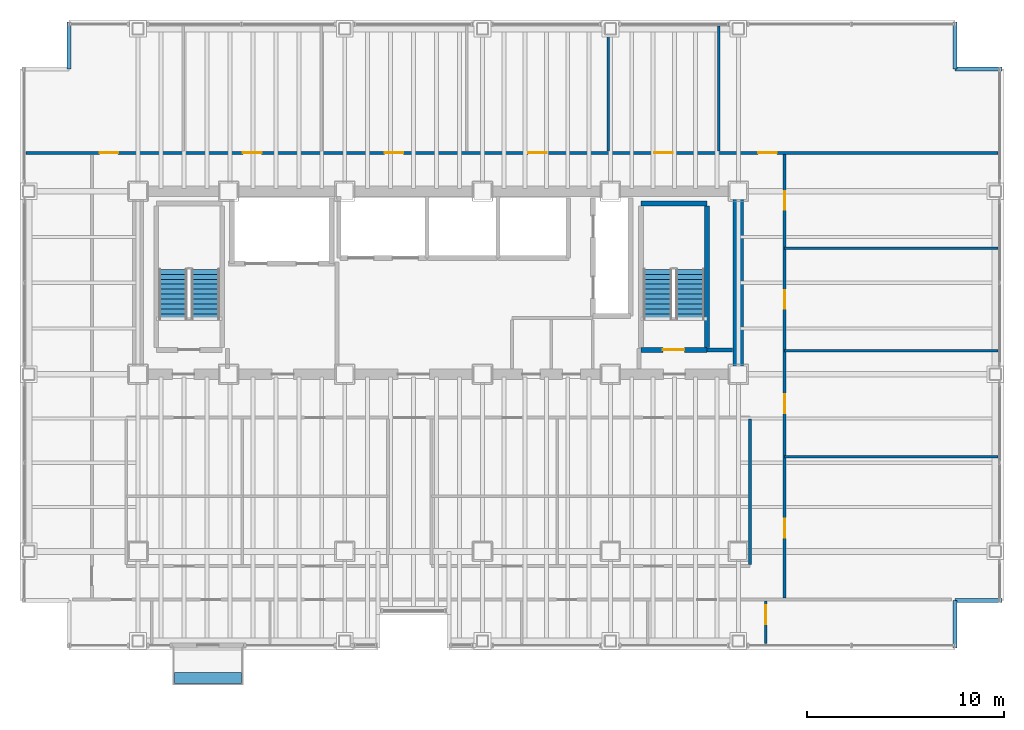
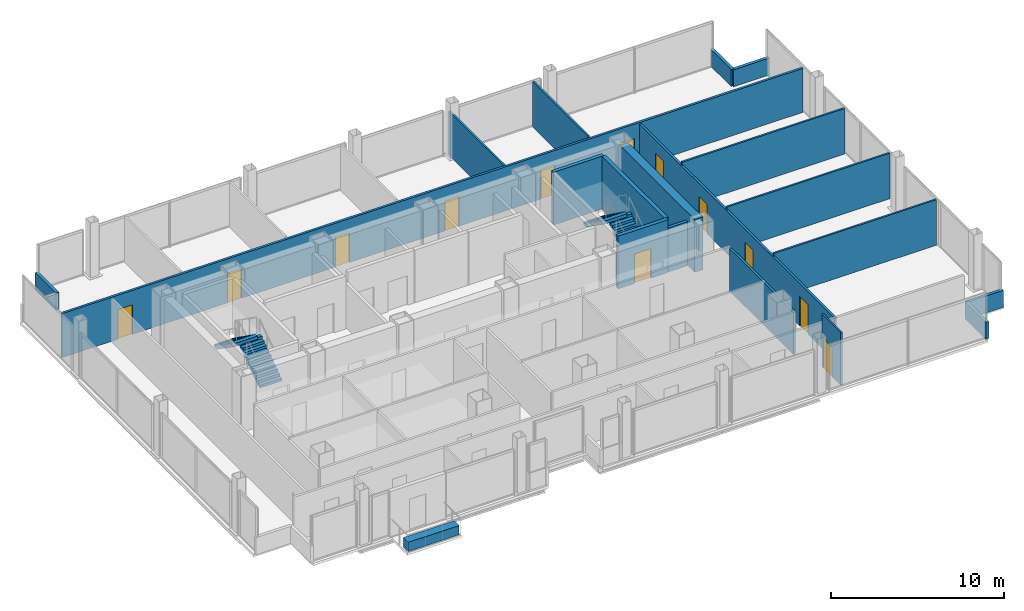
# One storey, part 19 of 20: 19 walls, 12 doors, 4 stair flights, 1 discrete accessory, 12 openings, 2 elements without a shape of their own.
"""IFC4 building model written with IfcOpenShell, lengths in metres."""

from ifc_helpers import new_model, si_unit, direction, frame, frame_2d, origin, origin_2d, place, context, subcontext, project, spatial, polyline, rectangle, outline, extrude, material, layer, layer_set, type_object, element, fill, aggregate, save


model = new_model("IFC4")

# Units and contexts
model_context = context("Model", 3, precision=1e-05, world=origin(), true_north=direction((0.0, 1.0)))
body_context = subcontext(model_context, "Body", "Model", "MODEL_VIEW")
ifc_project = project(units=[si_unit("LENGTHUNIT", "METRE"), si_unit("AREAUNIT", "SQUARE_METRE"), si_unit("VOLUMEUNIT", "CUBIC_METRE"), si_unit("PLANEANGLEUNIT", "RADIAN"), si_unit("MASSUNIT", "GRAM", prefix="KILO")], contexts=[model_context])

# Site, building, storey
site_placement = place(None, origin())
site = spatial("IfcSite", under=ifc_project, at=site_placement, CompositionType="ELEMENT")
building_placement = place(site_placement, origin())
building = spatial("IfcBuilding", under=site, at=building_placement, Name="Noeulbin Bourse Tower", CompositionType="ELEMENT")
storey_placement = place(building_placement, frame((0.0, 0.0, 65.5)))
storey = spatial("IfcBuildingStorey", under=building, at=storey_placement, Name="L16", CompositionType="ELEMENT", Elevation=65.5)

# Walls
ifc_material_1 = material(Name="Concrete C60/75", Category="concrete")
ifc_layer_1 = layer(ifc_material_1, 0.550048828125)
ifc_layer_set_1 = layer_set([ifc_layer_1], Name="Concrete C60/75")
wall_type_1 = type_object("IfcWallType", Name="WAL-CORE-550", PredefinedType="SHEAR", material=ifc_layer_set_1)
wall_1_placement = place(storey_placement, frame((44.0, 29.35009765625, 0.0), z_axis=(0.0, 0.0, 1.0), x_axis=(0.0, 1.0, 0.0)))
element("IfcWall", 1, at=wall_1_placement, inside=storey, type_object=wall_type_1, Name="Rear Core East Shear Wall L16", PredefinedType="SHEAR", context=body_context, shape_type="SweptSolid", body=[
    extrude(rectangle(XDim=8.599853515625, YDim=0.550048828125, at=frame_2d((4.2998046875, 0.0))), origin(), (0.0, 0.0, 1.0), 3.719970703125),
])
ifc_material_2 = material(Name="Concrete C40/50", Category="concrete")
ifc_layer_2 = layer(ifc_material_2, 0.199951171875)
ifc_layer_set_2 = layer_set([ifc_layer_2], Name="Concrete C40/50")
wall_type_2 = type_object("IfcWallType", Name="WAL-FIRE-200", PredefinedType="STANDARD", material=ifc_layer_set_2)
wall_2_placement = place(storey_placement, frame((42.39990234375, 30.239990234375, 0.0), z_axis=(0.0, 0.0, 1.0), x_axis=(1.0, 0.0, 0.0)))
element("IfcWall", 2, at=wall_2_placement, inside=storey, type_object=wall_type_2, Name="Interior Partition Wall L16-01", PredefinedType="STANDARD", context=body_context, shape_type="SweptSolid", body=[
    extrude(rectangle(XDim=1.315185546875, YDim=0.199951171875, at=frame_2d((0.65771484375, 0.0))), origin(), (0.0, 0.0, 1.0), 3.10009765625),
])
ifc_layer_3 = layer(ifc_material_2, 0.199951171875)
ifc_layer_set_3 = layer_set([ifc_layer_3], Name="Concrete C40/50")
wall_type_3 = type_object("IfcWallType", Name="WAL-PAR-200", PredefinedType="PARAPET", material=ifc_layer_set_3)
for number, where, z_axis, x_axis, name in (
    (3, (55.0, 15.10009765625, 0.0), (0.0, 0.0, 1.0), (0.0, 1.0, 0.0), "Corner Notch Parapet L16-SE1"),
    (4, (55.0, 17.5, 0.0), (0.0, 0.0, 1.0), (1.0, 0.0, 0.0), "Corner Notch Parapet L16-SE2"),
    (5, (10.0, 44.5, 0.0), (0.0, 0.0, 1.0), (0.0, 1.0, 0.0), "Corner Notch Parapet L16-NW2"),
    (6, (55.0, 46.89990234375, 0.0), (0.0, 0.0, 1.0), (0.0, -1.0, 0.0), "Corner Notch Parapet L16-NE1"),
    (7, (55.0, 44.5, 0.0), (0.0, 0.0, 1.0), (1.0, 0.0, 0.0), "Corner Notch Parapet L16-NE2"),
):
    element("IfcWall", number, at=place(storey_placement, frame(where, z_axis=z_axis, x_axis=x_axis)), inside=storey, type_object=wall_type_3, Name=name, PredefinedType="PARAPET", context=body_context, shape_type="SweptSolid", body=[
        extrude(rectangle(XDim=2.39990234375, YDim=0.199951171875, at=frame_2d((1.199951171875, 0.0))), origin(), (0.0, 0.0, 1.0), 1.199951171875),
    ])
ifc_material_3 = material(Name="Steel Stud Gypsum Partition", Category="steel")
ifc_layer_4 = layer(ifc_material_3, 0.1201171875)
ifc_layer_set_4 = layer_set([ifc_layer_4], Name="Steel Stud Gypsum Partition")
wall_type_4 = type_object("IfcWallType", Name="WAL-PRT-120", PredefinedType="PARTITIONING", material=ifc_layer_set_4)
for number, where, z_axis, x_axis, name in (
    (8, (46.35009765625, 24.800048828125, 0.0), (0.0, 0.0, 1.0), (1.0, 0.0, 0.0), "Interior Partition Wall L16-11"),
    (9, (46.35009765625, 30.199951171875, 0.0), (0.0, 0.0, 1.0), (1.0, 0.0, 0.0), "Interior Partition Wall L16-12"),
    (10, (46.35009765625, 35.39990234375, 0.0), (0.0, 0.0, 1.0), (1.0, 0.0, 0.0), "Interior Partition Wall L16-13"),
):
    element("IfcWall", number, at=place(storey_placement, frame(where, z_axis=z_axis, x_axis=x_axis)), inside=storey, type_object=wall_type_4, Name=name, PredefinedType="PARTITIONING", context=body_context, shape_type="SweptSolid", body=[
        extrude(rectangle(XDim=10.83984375, YDim=0.1201171875, at=frame_2d((5.419921875, 0.0))), origin(), (0.0, 0.0, 1.0), 3.2119140625),
    ])

# Wall, opening, door
wall_3_placement = place(storey_placement, frame((45.39990234375, 15.31005859375, 0.0), z_axis=(0.0, 0.0, 1.0), x_axis=(0.0, 1.0, 0.0)))
wall_3 = element("IfcWall", 11, at=wall_3_placement, inside=storey, type_object=wall_type_4, Name="Interior Partition Wall L16-31", PredefinedType="PARTITIONING", context=body_context, shape_type="SweptSolid", body=[
    extrude(rectangle(XDim=2.155029296875, YDim=0.1201171875, at=frame_2d((1.07763671875, 0.0))), origin(), (0.0, 0.0, 1.0), 3.719970703125),
])
opening_1_placement = place(wall_3_placement, frame((0.9951171875, 0.0, 0.0)))
opening_1 = element("IfcOpeningElement", 12, at=opening_1_placement, cuts=wall_3, Name="Opening ID-09", PredefinedType="OPENING", context=body_context, shape_type="SweptSolid", body=[
    extrude(rectangle(XDim=0.949951171875, YDim=2.080078125, at=frame_2d((0.47509765625, 1.0400390625))), frame((0.0, 0.070068359375, 0.0), z_axis=(0.0, -1.0, 0.0), x_axis=(1.0, 0.0, 0.0)), (0.0, 0.0, 1.0), 0.14013671875),
])
ifc_material_4 = material(Name="Acoustic Solid-Core Timber", Category="wood")
door_type_1 = type_object("IfcDoorType", Name="DR-SINGLE-950", OperationType="SINGLE_SWING_LEFT", PredefinedType="DOOR", material=ifc_material_4)
door_1_placement = place(opening_1_placement, origin())
door_1 = element("IfcDoor", 13, at=door_1_placement, inside=storey, type_object=door_type_1, Name="Interior Door L16-13", OperationType="SINGLE_SWING_RIGHT", OverallHeight=2.080078125, OverallWidth=0.949951171875, PredefinedType="DOOR", context=body_context, shape_type="SweptSolid", body=[
    extrude(rectangle(XDim=0.949951171875, YDim=2.080078125, at=frame_2d((0.47509765625, 1.0400390625))), frame((0.0, 0.02490234375, 0.0), z_axis=(0.0, -1.0, 0.0), x_axis=(1.0, 0.0, 0.0)), (0.0, 0.0, 1.0), 0.050048828125),
])
fill(opening_1, door_1)

# Walls
wall_4_placement = place(storey_placement, frame((37.39990234375, 40.3349609375, 0.0), z_axis=(0.0, 0.0, 1.0), x_axis=(0.0, 1.0, 0.0)))
element("IfcWall", 14, at=wall_4_placement, inside=storey, type_object=wall_type_4, Name="Interior Partition Wall L16-37", PredefinedType="PARTITIONING", context=body_context, shape_type="SweptSolid", body=[
    extrude(rectangle(XDim=6.35498046875, YDim=0.1201171875, at=frame_2d((3.177490234375, 0.0))), origin(), (0.0, 0.0, 1.0), 3.10009765625),
])
wall_5_placement = place(storey_placement, frame((43.0, 40.3349609375, 0.0), z_axis=(0.0, 0.0, 1.0), x_axis=(0.0, 1.0, 0.0)))
element("IfcWall", 15, at=wall_5_placement, inside=storey, type_object=wall_type_4, Name="Interior Partition Wall L16-38", PredefinedType="PARTITIONING", context=body_context, shape_type="SweptSolid", body=[
    extrude(rectangle(XDim=6.35498046875, YDim=0.1201171875, at=frame_2d((3.177490234375, 0.0))), origin(), (0.0, 0.0, 1.0), 3.2119140625),
])

# Wall, openings, doors
ifc_material_5 = material(Name="Steel Stud Acoustic Gypsum Board", Category="steel")
ifc_layer_5 = layer(ifc_material_5, 0.14990234375)
ifc_layer_set_5 = layer_set([ifc_layer_5], Name="Steel Stud Acoustic Gypsum Board")
wall_type_5 = type_object("IfcWallType", Name="WAL-PRT-150", PredefinedType="PARTITIONING", material=ifc_layer_set_5)
wall_6_placement = place(storey_placement, frame((7.81005859375, 40.25, 0.0), z_axis=(0.0, 0.0, 1.0), x_axis=(1.0, 0.0, 0.0)))
wall_6 = element("IfcWall", 16, at=wall_6_placement, inside=storey, type_object=wall_type_5, Name="Interior Partition Wall L16-14", PredefinedType="PARTITIONING", context=body_context, shape_type="SweptSolid", body=[
    extrude(rectangle(XDim=49.3798828125, YDim=0.14990234375, at=frame_2d((24.68994140625, 0.0))), origin(), (0.0, 0.0, 1.0), 3.10009765625),
])
opening_2_placement = place(wall_6_placement, frame((3.72998046875, 0.0, 0.0)))
opening_2 = element("IfcOpeningElement", 17, at=opening_2_placement, cuts=wall_6, Name="Opening ID-09", PredefinedType="OPENING", context=body_context, shape_type="SweptSolid", body=[
    extrude(rectangle(XDim=0.949951171875, YDim=2.080078125, at=frame_2d((0.47509765625, 1.0400390625))), frame((0.0, 0.0849609375, 0.0), z_axis=(0.0, -1.0, 0.0), x_axis=(1.0, 0.0, 0.0)), (0.0, 0.0, 1.0), 0.169921875),
])
opening_3_placement = place(wall_6_placement, frame((11.014892578125, 0.0, 0.0)))
opening_3 = element("IfcOpeningElement", 18, at=opening_3_placement, cuts=wall_6, Name="Opening ID-09", PredefinedType="OPENING", context=body_context, shape_type="SweptSolid", body=[
    extrude(rectangle(XDim=0.949951171875, YDim=2.080078125, at=frame_2d((0.47509765625, 1.0400390625))), frame((0.0, 0.0849609375, 0.0), z_axis=(0.0, -1.0, 0.0), x_axis=(1.0, 0.0, 0.0)), (0.0, 0.0, 1.0), 0.169921875),
])
opening_4_placement = place(wall_6_placement, frame((18.215087890625, 0.0, 0.0)))
opening_4 = element("IfcOpeningElement", 19, at=opening_4_placement, cuts=wall_6, Name="Opening ID-09", PredefinedType="OPENING", context=body_context, shape_type="SweptSolid", body=[
    extrude(rectangle(XDim=0.949951171875, YDim=2.080078125, at=frame_2d((0.47509765625, 1.0400390625))), frame((0.0, 0.0849609375, 0.0), z_axis=(0.0, -1.0, 0.0), x_axis=(1.0, 0.0, 0.0)), (0.0, 0.0, 1.0), 0.169921875),
])
opening_5_placement = place(wall_6_placement, frame((25.514892578125, 0.0, 0.0)))
opening_5 = element("IfcOpeningElement", 20, at=opening_5_placement, cuts=wall_6, Name="Opening ID-09", PredefinedType="OPENING", context=body_context, shape_type="SweptSolid", body=[
    extrude(rectangle(XDim=0.949951171875, YDim=2.080078125, at=frame_2d((0.47509765625, 1.0400390625))), frame((0.0, 0.0849609375, 0.0), z_axis=(0.0, -1.0, 0.0), x_axis=(1.0, 0.0, 0.0)), (0.0, 0.0, 1.0), 0.169921875),
])
opening_6_placement = place(wall_6_placement, frame((31.9150390625, 0.0, 0.0)))
opening_6 = element("IfcOpeningElement", 21, at=opening_6_placement, cuts=wall_6, Name="Opening ID-09", PredefinedType="OPENING", context=body_context, shape_type="SweptSolid", body=[
    extrude(rectangle(XDim=0.949951171875, YDim=2.080078125, at=frame_2d((0.47509765625, 1.0400390625))), frame((0.0, 0.0849609375, 0.0), z_axis=(0.0, -1.0, 0.0), x_axis=(1.0, 0.0, 0.0)), (0.0, 0.0, 1.0), 0.169921875),
])
opening_7_placement = place(wall_6_placement, frame((37.199951171875, 0.0, 0.0)))
opening_7 = element("IfcOpeningElement", 22, at=opening_7_placement, cuts=wall_6, Name="Opening ID-09", PredefinedType="OPENING", context=body_context, shape_type="SweptSolid", body=[
    extrude(rectangle(XDim=0.949951171875, YDim=2.080078125, at=frame_2d((0.47509765625, 1.0400390625))), frame((0.0, 0.0849609375, 0.0), z_axis=(0.0, -1.0, 0.0), x_axis=(1.0, 0.0, 0.0)), (0.0, 0.0, 1.0), 0.169921875),
])
door_2_placement = place(opening_2_placement, origin())
door_2 = element("IfcDoor", 23, at=door_2_placement, inside=storey, type_object=door_type_1, Name="Interior Door L16-27", OperationType="SINGLE_SWING_RIGHT", OverallHeight=2.080078125, OverallWidth=0.949951171875, PredefinedType="DOOR", context=body_context, shape_type="SweptSolid", body=[
    extrude(rectangle(XDim=0.949951171875, YDim=2.080078125, at=frame_2d((0.47509765625, 1.0400390625))), frame((0.0, 0.02490234375, 0.0), z_axis=(0.0, -1.0, 0.0), x_axis=(1.0, 0.0, 0.0)), (0.0, 0.0, 1.0), 0.050048828125),
])
fill(opening_2, door_2)
door_3_placement = place(opening_3_placement, origin())
door_3 = element("IfcDoor", 24, at=door_3_placement, inside=storey, type_object=door_type_1, Name="Interior Door L16-28", OperationType="SINGLE_SWING_LEFT", OverallHeight=2.080078125, OverallWidth=0.949951171875, PredefinedType="DOOR", context=body_context, shape_type="SweptSolid", body=[
    extrude(rectangle(XDim=0.949951171875, YDim=2.080078125, at=frame_2d((0.47509765625, 1.0400390625))), frame((0.0, 0.02490234375, 0.0), z_axis=(0.0, -1.0, 0.0), x_axis=(1.0, 0.0, 0.0)), (0.0, 0.0, 1.0), 0.050048828125),
])
fill(opening_3, door_3)
door_4_placement = place(opening_4_placement, origin())
door_4 = element("IfcDoor", 25, at=door_4_placement, inside=storey, type_object=door_type_1, Name="Interior Door L16-29", OperationType="SINGLE_SWING_RIGHT", OverallHeight=2.080078125, OverallWidth=0.949951171875, PredefinedType="DOOR", context=body_context, shape_type="SweptSolid", body=[
    extrude(rectangle(XDim=0.949951171875, YDim=2.080078125, at=frame_2d((0.47509765625, 1.0400390625))), frame((0.0, 0.02490234375, 0.0), z_axis=(0.0, -1.0, 0.0), x_axis=(1.0, 0.0, 0.0)), (0.0, 0.0, 1.0), 0.050048828125),
])
fill(opening_4, door_4)
door_5_placement = place(opening_5_placement, origin())
door_5 = element("IfcDoor", 26, at=door_5_placement, inside=storey, type_object=door_type_1, Name="Interior Door L16-30", OperationType="SINGLE_SWING_LEFT", OverallHeight=2.080078125, OverallWidth=0.949951171875, PredefinedType="DOOR", context=body_context, shape_type="SweptSolid", body=[
    extrude(rectangle(XDim=0.949951171875, YDim=2.080078125, at=frame_2d((0.47509765625, 1.0400390625))), frame((0.0, 0.02490234375, 0.0), z_axis=(0.0, -1.0, 0.0), x_axis=(1.0, 0.0, 0.0)), (0.0, 0.0, 1.0), 0.050048828125),
])
fill(opening_5, door_5)
door_6_placement = place(opening_6_placement, origin())
door_6 = element("IfcDoor", 27, at=door_6_placement, inside=storey, type_object=door_type_1, Name="Interior Door L16-31", OperationType="SINGLE_SWING_RIGHT", OverallHeight=2.080078125, OverallWidth=0.949951171875, PredefinedType="DOOR", context=body_context, shape_type="SweptSolid", body=[
    extrude(rectangle(XDim=0.949951171875, YDim=2.080078125, at=frame_2d((0.47509765625, 1.0400390625))), frame((0.0, 0.02490234375, 0.0), z_axis=(0.0, -1.0, 0.0), x_axis=(1.0, 0.0, 0.0)), (0.0, 0.0, 1.0), 0.050048828125),
])
fill(opening_6, door_6)
door_7_placement = place(opening_7_placement, origin())
door_7 = element("IfcDoor", 28, at=door_7_placement, inside=storey, type_object=door_type_1, Name="Interior Door L16-32", OperationType="SINGLE_SWING_LEFT", OverallHeight=2.080078125, OverallWidth=0.949951171875, PredefinedType="DOOR", context=body_context, shape_type="SweptSolid", body=[
    extrude(rectangle(XDim=0.949951171875, YDim=2.080078125, at=frame_2d((0.47509765625, 1.0400390625))), frame((0.0, 0.02490234375, 0.0), z_axis=(0.0, -1.0, 0.0), x_axis=(1.0, 0.0, 0.0)), (0.0, 0.0, 1.0), 0.050048828125),
])
fill(opening_7, door_7)

wall_7_placement = place(storey_placement, frame((46.35009765625, 17.635009765625, 0.0), z_axis=(0.0, 0.0, 1.0), x_axis=(0.0, 1.0, 0.0)))
wall_7 = element("IfcWall", 29, at=wall_7_placement, inside=storey, type_object=wall_type_5, Name="Interior Partition Wall L16-25", PredefinedType="PARTITIONING", context=body_context, shape_type="SweptSolid", body=[
    extrude(rectangle(XDim=22.530029296875, YDim=0.14990234375, at=frame_2d((11.26513671875, 0.0))), origin(), (0.0, 0.0, 1.0), 3.0),
])
opening_8_placement = place(wall_7_placement, frame((3.06494140625, 0.0, 0.0)))
opening_8 = element("IfcOpeningElement", 30, at=opening_8_placement, cuts=wall_7, Name="Opening ID-09", PredefinedType="OPENING", context=body_context, shape_type="SweptSolid", body=[
    extrude(rectangle(XDim=0.949951171875, YDim=2.080078125, at=frame_2d((0.47509765625, 1.0400390625))), frame((0.0, 0.0849609375, 0.0), z_axis=(0.0, -1.0, 0.0), x_axis=(1.0, 0.0, 0.0)), (0.0, 0.0, 1.0), 0.169921875),
])
opening_9_placement = place(wall_7_placement, frame((9.389892578125, 0.0, 0.0)))
opening_9 = element("IfcOpeningElement", 31, at=opening_9_placement, cuts=wall_7, Name="Opening ID-09", PredefinedType="OPENING", context=body_context, shape_type="SweptSolid", body=[
    extrude(rectangle(XDim=0.949951171875, YDim=2.080078125, at=frame_2d((0.47509765625, 1.0400390625))), frame((0.0, 0.0849609375, 0.0), z_axis=(0.0, -1.0, 0.0), x_axis=(1.0, 0.0, 0.0)), (0.0, 0.0, 1.0), 0.169921875),
])
opening_10_placement = place(wall_7_placement, frame((14.68994140625, 0.0, 0.0)))
opening_10 = element("IfcOpeningElement", 32, at=opening_10_placement, cuts=wall_7, Name="Opening ID-09", PredefinedType="OPENING", context=body_context, shape_type="SweptSolid", body=[
    extrude(rectangle(XDim=0.949951171875, YDim=2.080078125, at=frame_2d((0.47509765625, 1.0400390625))), frame((0.0, 0.0849609375, 0.0), z_axis=(0.0, -1.0, 0.0), x_axis=(1.0, 0.0, 0.0)), (0.0, 0.0, 1.0), 0.169921875),
])
opening_11_placement = place(wall_7_placement, frame((19.715087890625, 0.0, 0.0)))
opening_11 = element("IfcOpeningElement", 33, at=opening_11_placement, cuts=wall_7, Name="Opening ID-09", PredefinedType="OPENING", context=body_context, shape_type="SweptSolid", body=[
    extrude(rectangle(XDim=0.949951171875, YDim=2.080078125, at=frame_2d((0.47509765625, 1.0400390625))), frame((0.0, 0.0849609375, 0.0), z_axis=(0.0, -1.0, 0.0), x_axis=(1.0, 0.0, 0.0)), (0.0, 0.0, 1.0), 0.169921875),
])
door_8_placement = place(opening_8_placement, origin())
door_8 = element("IfcDoor", 34, at=door_8_placement, inside=storey, type_object=door_type_1, Name="Interior Door L16-23", OperationType="SINGLE_SWING_RIGHT", OverallHeight=2.080078125, OverallWidth=0.949951171875, PredefinedType="DOOR", context=body_context, shape_type="SweptSolid", body=[
    extrude(rectangle(XDim=0.949951171875, YDim=2.080078125, at=frame_2d((0.47509765625, 1.0400390625))), frame((0.0, 0.02490234375, 0.0), z_axis=(0.0, -1.0, 0.0), x_axis=(1.0, 0.0, 0.0)), (0.0, 0.0, 1.0), 0.050048828125),
])
fill(opening_8, door_8)
door_9_placement = place(opening_9_placement, origin())
door_9 = element("IfcDoor", 35, at=door_9_placement, inside=storey, type_object=door_type_1, Name="Interior Door L16-24", OperationType="SINGLE_SWING_LEFT", OverallHeight=2.080078125, OverallWidth=0.949951171875, PredefinedType="DOOR", context=body_context, shape_type="SweptSolid", body=[
    extrude(rectangle(XDim=0.949951171875, YDim=2.080078125, at=frame_2d((0.47509765625, 1.0400390625))), frame((0.0, 0.02490234375, 0.0), z_axis=(0.0, -1.0, 0.0), x_axis=(1.0, 0.0, 0.0)), (0.0, 0.0, 1.0), 0.050048828125),
])
fill(opening_9, door_9)
door_10_placement = place(opening_10_placement, origin())
door_10 = element("IfcDoor", 36, at=door_10_placement, inside=storey, type_object=door_type_1, Name="Interior Door L16-25", OperationType="SINGLE_SWING_RIGHT", OverallHeight=2.080078125, OverallWidth=0.949951171875, PredefinedType="DOOR", context=body_context, shape_type="SweptSolid", body=[
    extrude(rectangle(XDim=0.949951171875, YDim=2.080078125, at=frame_2d((0.47509765625, 1.0400390625))), frame((0.0, 0.02490234375, 0.0), z_axis=(0.0, -1.0, 0.0), x_axis=(1.0, 0.0, 0.0)), (0.0, 0.0, 1.0), 0.050048828125),
])
fill(opening_10, door_10)
door_11_placement = place(opening_11_placement, origin())
door_11 = element("IfcDoor", 37, at=door_11_placement, inside=storey, type_object=door_type_1, Name="Interior Door L16-26", OperationType="SINGLE_SWING_LEFT", OverallHeight=2.080078125, OverallWidth=0.949951171875, PredefinedType="DOOR", context=body_context, shape_type="SweptSolid", body=[
    extrude(rectangle(XDim=0.949951171875, YDim=2.080078125, at=frame_2d((0.47509765625, 1.0400390625))), frame((0.0, 0.02490234375, 0.0), z_axis=(0.0, -1.0, 0.0), x_axis=(1.0, 0.0, 0.0)), (0.0, 0.0, 1.0), 0.050048828125),
])
fill(opening_11, door_11)

# Wall
wall_8_placement = place(storey_placement, frame((44.60009765625, 19.3349609375, 0.0), z_axis=(0.0, 0.0, 1.0), x_axis=(0.0, 1.0, 0.0)))
element("IfcWall", 38, at=wall_8_placement, inside=storey, type_object=wall_type_5, Name="Interior Partition Wall L16-26", PredefinedType="PARTITIONING", context=body_context, shape_type="SweptSolid", body=[
    extrude(rectangle(XDim=7.380126953125, YDim=0.14990234375, at=frame_2d((3.68994140625, 0.0))), origin(), (0.0, 0.0, 1.0), 3.0),
])

# Wall, opening, door
ifc_layer_6 = layer(ifc_material_2, 0.25)
ifc_layer_set_6 = layer_set([ifc_layer_6], Name="Concrete C40/50")
wall_type_6 = type_object("IfcWallType", Name="WAL-SHFT-250", PredefinedType="STANDARD", material=ifc_layer_set_6)
wall_9_placement = place(storey_placement, frame((39.06005859375, 30.235107421875, 0.0), z_axis=(0.0, 0.0, 1.0), x_axis=(1.0, 0.0, 0.0)))
wall_9 = element("IfcWall", 39, at=wall_9_placement, inside=storey, type_object=wall_type_6, Name="Stair ST-2 South Shaft Wall L16", PredefinedType="STANDARD", context=body_context, shape_type="SweptSolid", body=[
    extrude(rectangle(XDim=3.33984375, YDim=0.25, at=frame_2d((1.669921875, 0.0))), origin(), (0.0, 0.0, 1.0), 3.719970703125),
])
opening_12_placement = place(wall_9_placement, frame((1.10009765625, 0.0, 0.0)))
opening_12 = element("IfcOpeningElement", 40, at=opening_12_placement, cuts=wall_9, Name="Opening FD-11", PredefinedType="OPENING", context=body_context, shape_type="SweptSolid", body=[
    extrude(rectangle(XDim=1.10009765625, YDim=2.080078125, at=frame_2d((0.550048828125, 1.0400390625))), frame((0.0, 0.135009765625, 0.0), z_axis=(0.0, -1.0, 0.0), x_axis=(1.0, 0.0, 0.0)), (0.0, 0.0, 1.0), 0.27001953125),
])
ifc_material_6 = material(Name="Fire-Rated Insulated Steel", Category="steel")
door_type_2 = type_object("IfcDoorType", Name="DR-FD60-1100", OperationType="SINGLE_SWING_LEFT", PredefinedType="DOOR", material=ifc_material_6)
door_12_placement = place(opening_12_placement, origin())
door_12 = element("IfcDoor", 41, at=door_12_placement, inside=storey, type_object=door_type_2, Name="Protected Stair Entry Door ST2-L16", OperationType="SINGLE_SWING_LEFT", OverallHeight=2.080078125, OverallWidth=1.10009765625, PredefinedType="DOOR", context=body_context, shape_type="SweptSolid", body=[
    extrude(rectangle(XDim=1.10009765625, YDim=2.080078125, at=frame_2d((0.550048828125, 1.0400390625))), frame((0.0, 0.02490234375, 0.0), z_axis=(0.0, -1.0, 0.0), x_axis=(1.0, 0.0, 0.0)), (0.0, 0.0, 1.0), 0.050048828125),
])
fill(opening_12, door_12)

# Walls
wall_10_placement = place(storey_placement, frame((39.06005859375, 37.6689453125, 0.0), z_axis=(0.0, 0.0, 1.0), x_axis=(1.0, 0.0, 0.0)))
element("IfcWall", 42, at=wall_10_placement, inside=storey, type_object=wall_type_6, Name="Stair ST-2 North Shaft Wall L16", PredefinedType="STANDARD", context=body_context, shape_type="SweptSolid", body=[
    extrude(rectangle(XDim=3.33984375, YDim=0.25, at=frame_2d((1.669921875, 0.0))), origin(), (0.0, 0.0, 1.0), 3.719970703125),
])
wall_11_placement = place(storey_placement, frame((42.405029296875, 30.360107421875, 0.0), z_axis=(0.0, 0.0, 1.0), x_axis=(0.0, 1.0, 0.0)))
element("IfcWall", 43, at=wall_11_placement, inside=storey, type_object=wall_type_6, Name="Stair ST-2 East Shaft Wall L16", PredefinedType="STANDARD", context=body_context, shape_type="SweptSolid", body=[
    extrude(rectangle(XDim=7.183837890625, YDim=0.25, at=frame_2d((3.591796875, 0.0))), origin(), (0.0, 0.0, 1.0), 3.719970703125),
])

# Stair, stair flights
stair_type = type_object("IfcStairType", Name="STR-CORE-1560", PredefinedType="HALF_TURN_STAIR", material=ifc_material_2)
stair_1_placement = place(storey_placement, origin())
stair_1 = element("IfcStair", 44, at=stair_1_placement, inside=storey, type_object=stair_type, Name="L16 ST-1", PredefinedType="HALF_TURN_STAIR")
stair_flight_type = type_object("IfcStairFlightType", Name="SFL-CORE-1560", PredefinedType="STRAIGHT", material=ifc_material_2)
stair_flight_1_placement = place(storey_placement, frame((16.925048828125, 31.81005859375, 0.0), z_axis=(0.0, 0.0, 1.0), x_axis=(0.0, 1.0, 0.0)))
stair_flight_1 = element("IfcStairFlight", 45, at=stair_flight_1_placement, type_object=stair_flight_type, Name="ST-1 flight 1", NumberOfRisers=11, NumberOfTreads=10, PredefinedType="STRAIGHT", RiserHeight=0.177272727, TreadLength=0.252, context=body_context, shape_type="SweptSolid", body=[
    extrude(outline(polyline([(0.0, 0.0), (0.0, 0.17724609375), (0.251953125, 0.17724609375), (0.251953125, 0.3544921875), (0.50390625, 0.3544921875), (0.50390625, 0.53173828125), (0.756103515625, 0.53173828125), (0.756103515625, 0.708984375), (1.008056640625, 0.708984375), (1.008056640625, 0.886474609375), (1.260009765625, 0.886474609375), (1.260009765625, 1.063720703125), (1.511962890625, 1.063720703125), (1.511962890625, 1.240966796875), (1.763916015625, 1.240966796875), (1.763916015625, 1.418212890625), (2.01611328125, 1.418212890625), (2.01611328125, 1.595458984375), (2.26806640625, 1.595458984375), (2.26806640625, 1.772705078125), (2.52001953125, 1.772705078125), (2.52001953125, 1.949951171875), (2.52001953125, 1.552734375), (0.312744140625, 0.0), (0.0, 0.0)])), frame((0.0, 0.72509765625, 0.0), z_axis=(0.0, -1.0, 0.0), x_axis=(1.0, 0.0, 0.0)), (0.0, 0.0, 1.0), 1.449951171875),
])
stair_flight_2_placement = place(storey_placement, frame((15.27490234375, 34.330078125, 1.949951171875), z_axis=(0.0, 0.0, 1.0), x_axis=(0.0, -1.0, 0.0)))
stair_flight_2 = element("IfcStairFlight", 46, at=stair_flight_2_placement, type_object=stair_flight_type, Name="ST-1 flight 2", NumberOfRisers=11, NumberOfTreads=10, PredefinedType="STRAIGHT", RiserHeight=0.177272727, TreadLength=0.252, context=body_context, shape_type="SweptSolid", body=[
    extrude(outline(polyline([(0.0, 0.0), (0.0, 0.17724609375), (0.251953125, 0.17724609375), (0.251953125, 0.3544921875), (0.50390625, 0.3544921875), (0.50390625, 0.53173828125), (0.756103515625, 0.53173828125), (0.756103515625, 0.708984375), (1.008056640625, 0.708984375), (1.008056640625, 0.886474609375), (1.260009765625, 0.886474609375), (1.260009765625, 1.063720703125), (1.511962890625, 1.063720703125), (1.511962890625, 1.240966796875), (1.763916015625, 1.240966796875), (1.763916015625, 1.418212890625), (2.01611328125, 1.418212890625), (2.01611328125, 1.595458984375), (2.26806640625, 1.595458984375), (2.26806640625, 1.772705078125), (2.52001953125, 1.772705078125), (2.52001953125, 1.949951171875), (2.52001953125, 1.552734375), (0.312744140625, 0.0), (0.0, 0.0)])), frame((0.0, 0.72509765625, 0.0), z_axis=(0.0, -1.0, 0.0), x_axis=(1.0, 0.0, 0.0)), (0.0, 0.0, 1.0), 1.449951171875),
])
aggregate(stair_1, [stair_flight_1, stair_flight_2])

stair_2_placement = place(storey_placement, origin())
stair_2 = element("IfcStair", 47, at=stair_2_placement, inside=storey, type_object=stair_type, Name="L16 ST-2", PredefinedType="HALF_TURN_STAIR")
stair_flight_3_placement = place(storey_placement, frame((41.554931640625, 31.81005859375, 0.0), z_axis=(0.0, 0.0, 1.0), x_axis=(0.0, 1.0, 0.0)))
stair_flight_3 = element("IfcStairFlight", 48, at=stair_flight_3_placement, type_object=stair_flight_type, Name="ST-2 flight 1", NumberOfRisers=11, NumberOfTreads=10, PredefinedType="STRAIGHT", RiserHeight=0.177272727, TreadLength=0.252, context=body_context, shape_type="SweptSolid", body=[
    extrude(outline(polyline([(0.0, 0.0), (0.0, 0.17724609375), (0.251953125, 0.17724609375), (0.251953125, 0.3544921875), (0.50390625, 0.3544921875), (0.50390625, 0.53173828125), (0.756103515625, 0.53173828125), (0.756103515625, 0.708984375), (1.008056640625, 0.708984375), (1.008056640625, 0.886474609375), (1.260009765625, 0.886474609375), (1.260009765625, 1.063720703125), (1.511962890625, 1.063720703125), (1.511962890625, 1.240966796875), (1.763916015625, 1.240966796875), (1.763916015625, 1.418212890625), (2.01611328125, 1.418212890625), (2.01611328125, 1.595458984375), (2.26806640625, 1.595458984375), (2.26806640625, 1.772705078125), (2.52001953125, 1.772705078125), (2.52001953125, 1.949951171875), (2.52001953125, 1.552734375), (0.312744140625, 0.0), (0.0, 0.0)])), frame((0.0, 0.72509765625, 0.0), z_axis=(0.0, -1.0, 0.0), x_axis=(1.0, 0.0, 0.0)), (0.0, 0.0, 1.0), 1.449951171875),
])
stair_flight_4_placement = place(storey_placement, frame((39.905029296875, 34.330078125, 1.949951171875), z_axis=(0.0, 0.0, 1.0), x_axis=(0.0, -1.0, 0.0)))
stair_flight_4 = element("IfcStairFlight", 49, at=stair_flight_4_placement, type_object=stair_flight_type, Name="ST-2 flight 2", NumberOfRisers=11, NumberOfTreads=10, PredefinedType="STRAIGHT", RiserHeight=0.177272727, TreadLength=0.252, context=body_context, shape_type="SweptSolid", body=[
    extrude(outline(polyline([(0.0, 0.0), (0.0, 0.17724609375), (0.251953125, 0.17724609375), (0.251953125, 0.3544921875), (0.50390625, 0.3544921875), (0.50390625, 0.53173828125), (0.756103515625, 0.53173828125), (0.756103515625, 0.708984375), (1.008056640625, 0.708984375), (1.008056640625, 0.886474609375), (1.260009765625, 0.886474609375), (1.260009765625, 1.063720703125), (1.511962890625, 1.063720703125), (1.511962890625, 1.240966796875), (1.763916015625, 1.240966796875), (1.763916015625, 1.418212890625), (2.01611328125, 1.418212890625), (2.01611328125, 1.595458984375), (2.26806640625, 1.595458984375), (2.26806640625, 1.772705078125), (2.52001953125, 1.772705078125), (2.52001953125, 1.949951171875), (2.52001953125, 1.552734375), (0.312744140625, 0.0), (0.0, 0.0)])), frame((0.0, 0.72509765625, 0.0), z_axis=(0.0, -1.0, 0.0), x_axis=(1.0, 0.0, 0.0)), (0.0, 0.0, 1.0), 1.449951171875),
])
aggregate(stair_2, [stair_flight_3, stair_flight_4])

# Discrete accessory
ifc_material_7 = material(Name="Architectural GFRC Concrete C40/50", Category="concrete")
ifc_layer_7 = layer(ifc_material_7, 0.64990234375)
ifc_layer_set_7 = layer_set([ifc_layer_7], Name="Architectural GFRC Concrete C40/50")
discrete_accessory_type = type_object("IfcDiscreteAccessoryType", Name="PLANTER-BOX-3600", PredefinedType="USERDEFINED", material=ifc_layer_set_7)
discrete_accessory_placement = place(storey_placement, frame((17.050048828125, 13.56005859375, 0.0), z_axis=(0.0, 0.0, 1.0), x_axis=(1.0, 0.0, 0.0)))
element("IfcDiscreteAccessory", 50, at=discrete_accessory_placement, inside=storey, type_object=discrete_accessory_type, Name="Integrated Balcony Tree Planter Box L16", ObjectType="PLANTER", PredefinedType="USERDEFINED", context=body_context, shape_type="SweptSolid", body=[
    extrude(rectangle(XDim=3.39990234375, YDim=0.550048828125, at=origin_2d()), origin(), (0.0, 0.0, 1.0), 0.64990234375),
])

save(model, "model.ifc")
